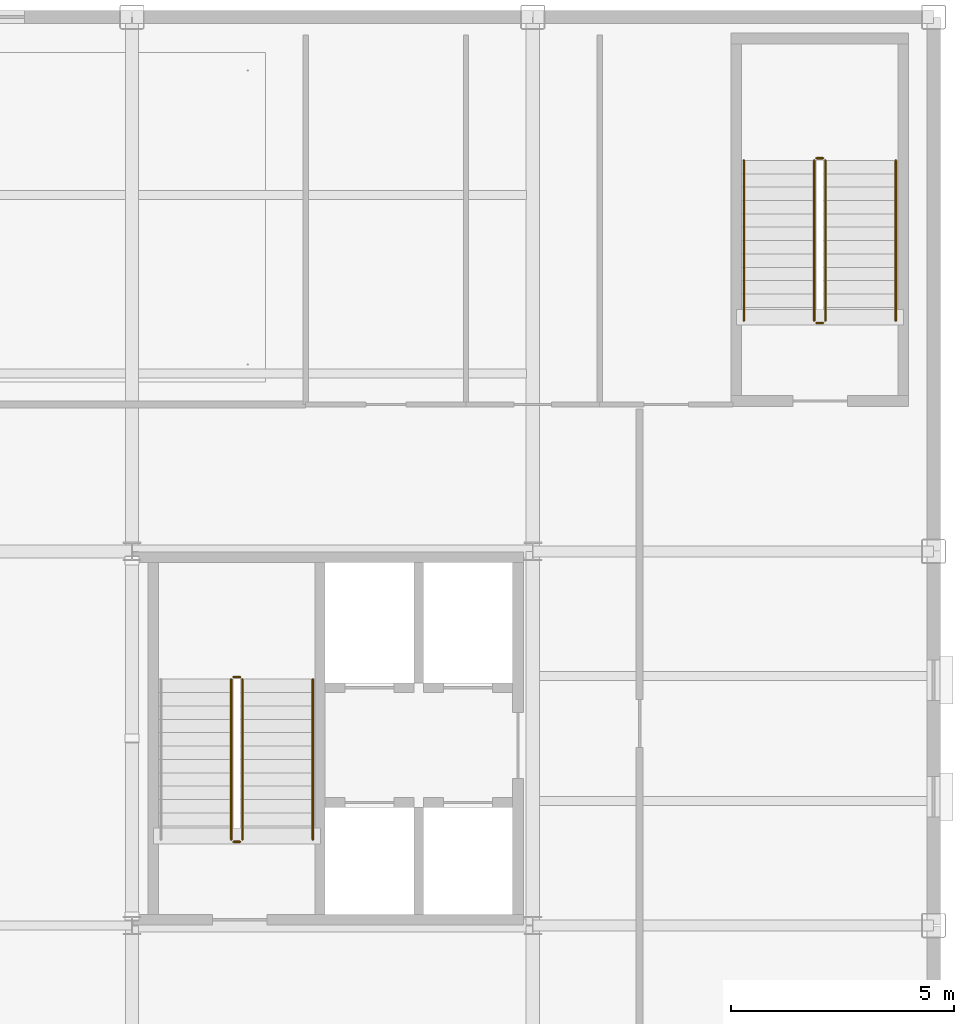
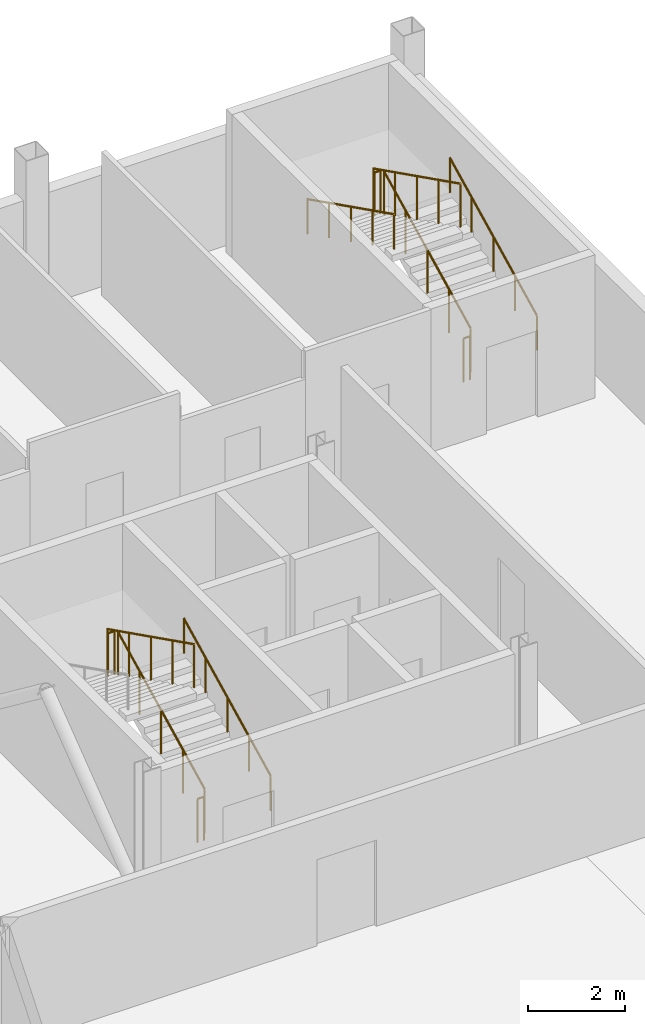
# One storey, part 77 of 77: 11 railings.
"""IFC4 building model written with IfcOpenShell, lengths in metres."""

from ifc_helpers import new_model, si_unit, direction, frame, origin, origin_2d, place, context, subcontext, project, spatial, circle, extrude, material, layer, layer_set, type_object, element, save


model = new_model("IFC4")

# Units and contexts
model_context = context("Model", 3, precision=1e-05, world=origin(), true_north=direction((0.0, 1.0)))
body_context = subcontext(model_context, "Body", "Model", "MODEL_VIEW")
ifc_project = project(units=[si_unit("LENGTHUNIT", "METRE"), si_unit("AREAUNIT", "SQUARE_METRE"), si_unit("VOLUMEUNIT", "CUBIC_METRE"), si_unit("PLANEANGLEUNIT", "RADIAN"), si_unit("MASSUNIT", "GRAM", prefix="KILO")], contexts=[model_context])

# Site, building, storey
site_placement = place(None, origin())
site = spatial("IfcSite", under=ifc_project, at=site_placement, CompositionType="ELEMENT")
building_placement = place(site_placement, origin())
building = spatial("IfcBuilding", under=site, at=building_placement, Name="Yukiwa Park Conservatory and Herbarium", CompositionType="ELEMENT")
storey_placement = place(building_placement, frame((0.0, 0.0, 13.199951171875)))
storey = spatial("IfcBuildingStorey", under=building, at=storey_placement, Name="L03", CompositionType="ELEMENT", Elevation=13.199951171875)

# Railings
ifc_material_1 = material(Name="Steel Q235B", Category="steel")
ifc_layer_1 = layer(ifc_material_1, 0.050048828125)
ifc_layer_set_1 = layer_set([ifc_layer_1], Name="Steel Q235B")
railing_type_1 = type_object("IfcRailingType", Name="RL-STAIR-GUARD-1120", PredefinedType="BALUSTRADE", material=ifc_layer_set_1)
railing_1_placement = place(storey_placement, frame((152.47998046875, 96.72998046875, 0.150146484375)))
element("IfcRailing", 1, at=railing_1_placement, inside=storey, type_object=railing_type_1, Name="L03 ST-T2 stair guard 1", PredefinedType="BALUSTRADE", context=body_context, shape_type="SweptSolid", body=[
    extrude(circle(Radius=0.02392578125, at=origin_2d()), frame((0.0, 0.0, 1.09619140625), z_axis=(0.0, 0.894451452574, 0.447165069061), x_axis=(-1.0, 0.0, 0.0)), (0.0, 0.0, 1.0), 4.02490234375),
    extrude(circle(Radius=0.02099609375, at=origin_2d()), origin(), (0.0, 0.0, 1.0), 1.072021484375),
    extrude(circle(Radius=0.02099609375, at=origin_2d()), frame((0.0, 0.89990234375, 0.449951171875)), (0.0, 0.0, 1.0), 1.072021484375),
    extrude(circle(Radius=0.02099609375, at=origin_2d()), frame((0.0, 1.800048828125, 0.89990234375)), (0.0, 0.0, 1.0), 1.072021484375),
    extrude(circle(Radius=0.02099609375, at=origin_2d()), frame((0.0, 2.7001953125, 1.349853515625)), (0.0, 0.0, 1.0), 1.072021484375),
    extrude(circle(Radius=0.02099609375, at=origin_2d()), frame((0.0, 3.60009765625, 1.7998046875)), (0.0, 0.0, 1.0), 1.072021484375),
])
railing_2_placement = place(storey_placement, frame((152.429931640625, 100.3798828125, 1.949951171875)))
element("IfcRailing", 2, at=railing_2_placement, inside=storey, type_object=railing_type_1, Name="L03 ST-T2 stair guard 2", PredefinedType="BALUSTRADE", context=body_context, shape_type="SweptSolid", body=[
    extrude(circle(Radius=0.02392578125, at=origin_2d()), frame((0.0, 0.0, 1.09619140625), z_axis=(-1.0, 0.0, 0.0), x_axis=(0.0, -1.0, 0.0)), (0.0, 0.0, 1.0), 0.14990234375),
    extrude(circle(Radius=0.02099609375, at=origin_2d()), origin(), (0.0, 0.0, 1.0), 1.072021484375),
    extrude(circle(Radius=0.02099609375, at=origin_2d()), frame((-0.14990234375, 0.0, 0.0)), (0.0, 0.0, 1.0), 1.072021484375),
])
railing_3_placement = place(storey_placement, frame((152.22998046875, 100.330078125, 2.10009765625)))
element("IfcRailing", 3, at=railing_3_placement, inside=storey, type_object=railing_type_1, Name="L03 ST-T2 stair guard 3", PredefinedType="BALUSTRADE", context=body_context, shape_type="SweptSolid", body=[
    extrude(circle(Radius=0.02392578125, at=origin_2d()), frame((0.0, 0.0, 1.09619140625), z_axis=(0.0, -0.894427191, 0.4472135955), x_axis=(1.0, 0.0, 0.0)), (0.0, 0.0, 1.0), 4.025146484375),
    extrude(circle(Radius=0.02099609375, at=origin_2d()), origin(), (0.0, 0.0, 1.0), 1.072021484375),
    extrude(circle(Radius=0.02099609375, at=origin_2d()), frame((0.0, -0.89990234375, 0.449951171875)), (0.0, 0.0, 1.0), 1.072021484375),
    extrude(circle(Radius=0.02099609375, at=origin_2d()), frame((0.0, -1.800048828125, 0.89990234375)), (0.0, 0.0, 1.0), 1.072021484375),
    extrude(circle(Radius=0.02099609375, at=origin_2d()), frame((0.0, -2.7001953125, 1.35009765625)), (0.0, 0.0, 1.0), 1.072021484375),
    extrude(circle(Radius=0.02099609375, at=origin_2d()), frame((0.0, -3.60009765625, 1.800048828125)), (0.0, 0.0, 1.0), 1.072021484375),
])
railing_4_placement = place(storey_placement, frame((152.429931640625, 96.679931640625, 0.0)))
element("IfcRailing", 4, at=railing_4_placement, inside=storey, type_object=railing_type_1, Name="L03 ST-T2 stair guard 4", PredefinedType="BALUSTRADE", context=body_context, shape_type="SweptSolid", body=[
    extrude(circle(Radius=0.02392578125, at=origin_2d()), frame((0.0, 0.0, 1.09619140625), z_axis=(-1.0, 0.0, 0.0), x_axis=(0.0, -1.0, 0.0)), (0.0, 0.0, 1.0), 0.14990234375),
    extrude(circle(Radius=0.02099609375, at=origin_2d()), origin(), (0.0, 0.0, 1.0), 1.072021484375),
    extrude(circle(Radius=0.02099609375, at=origin_2d()), frame((-0.14990234375, 0.0, 0.0)), (0.0, 0.0, 1.0), 1.072021484375),
])
railing_5_placement = place(storey_placement, frame((165.570068359375, 108.3798828125, 0.150146484375)))
element("IfcRailing", 5, at=railing_5_placement, inside=storey, type_object=railing_type_1, Name="L03 ST-T3 stair guard 1", PredefinedType="BALUSTRADE", context=body_context, shape_type="SweptSolid", body=[
    extrude(circle(Radius=0.02392578125, at=origin_2d()), frame((0.0, 0.0, 1.09619140625), z_axis=(0.0, 0.894451452574, 0.447165069061), x_axis=(-1.0, 0.0, 0.0)), (0.0, 0.0, 1.0), 4.02490234375),
    extrude(circle(Radius=0.02099609375, at=origin_2d()), origin(), (0.0, 0.0, 1.0), 1.072021484375),
    extrude(circle(Radius=0.02099609375, at=origin_2d()), frame((0.0, 0.89990234375, 0.449951171875)), (0.0, 0.0, 1.0), 1.072021484375),
    extrude(circle(Radius=0.02099609375, at=origin_2d()), frame((0.0, 1.800048828125, 0.89990234375)), (0.0, 0.0, 1.0), 1.072021484375),
    extrude(circle(Radius=0.02099609375, at=origin_2d()), frame((0.0, 2.7001953125, 1.349853515625)), (0.0, 0.0, 1.0), 1.072021484375),
    extrude(circle(Radius=0.02099609375, at=origin_2d()), frame((0.0, 3.60009765625, 1.7998046875)), (0.0, 0.0, 1.0), 1.072021484375),
])
railing_6_placement = place(storey_placement, frame((165.52001953125, 112.030029296875, 1.949951171875)))
element("IfcRailing", 6, at=railing_6_placement, inside=storey, type_object=railing_type_1, Name="L03 ST-T3 stair guard 2", PredefinedType="BALUSTRADE", context=body_context, shape_type="SweptSolid", body=[
    extrude(circle(Radius=0.02392578125, at=origin_2d()), frame((0.0, 0.0, 1.09619140625), z_axis=(-1.0, 0.0, 0.0), x_axis=(0.0, -1.0, 0.0)), (0.0, 0.0, 1.0), 0.14990234375),
    extrude(circle(Radius=0.02099609375, at=origin_2d()), origin(), (0.0, 0.0, 1.0), 1.072021484375),
    extrude(circle(Radius=0.02099609375, at=origin_2d()), frame((-0.14990234375, 0.0, 0.0)), (0.0, 0.0, 1.0), 1.072021484375),
])
railing_7_placement = place(storey_placement, frame((165.320068359375, 111.97998046875, 2.10009765625)))
element("IfcRailing", 7, at=railing_7_placement, inside=storey, type_object=railing_type_1, Name="L03 ST-T3 stair guard 3", PredefinedType="BALUSTRADE", context=body_context, shape_type="SweptSolid", body=[
    extrude(circle(Radius=0.02392578125, at=origin_2d()), frame((0.0, 0.0, 1.09619140625), z_axis=(0.0, -0.894427191, 0.4472135955), x_axis=(1.0, 0.0, 0.0)), (0.0, 0.0, 1.0), 4.025146484375),
    extrude(circle(Radius=0.02099609375, at=origin_2d()), origin(), (0.0, 0.0, 1.0), 1.072021484375),
    extrude(circle(Radius=0.02099609375, at=origin_2d()), frame((0.0, -0.89990234375, 0.449951171875)), (0.0, 0.0, 1.0), 1.072021484375),
    extrude(circle(Radius=0.02099609375, at=origin_2d()), frame((0.0, -1.800048828125, 0.89990234375)), (0.0, 0.0, 1.0), 1.072021484375),
    extrude(circle(Radius=0.02099609375, at=origin_2d()), frame((0.0, -2.7001953125, 1.35009765625)), (0.0, 0.0, 1.0), 1.072021484375),
    extrude(circle(Radius=0.02099609375, at=origin_2d()), frame((0.0, -3.60009765625, 1.800048828125)), (0.0, 0.0, 1.0), 1.072021484375),
])
railing_8_placement = place(storey_placement, frame((165.52001953125, 108.330078125, 0.0)))
element("IfcRailing", 8, at=railing_8_placement, inside=storey, type_object=railing_type_1, Name="L03 ST-T3 stair guard 4", PredefinedType="BALUSTRADE", context=body_context, shape_type="SweptSolid", body=[
    extrude(circle(Radius=0.02392578125, at=origin_2d()), frame((0.0, 0.0, 1.09619140625), z_axis=(-1.0, 0.0, 0.0), x_axis=(0.0, -1.0, 0.0)), (0.0, 0.0, 1.0), 0.14990234375),
    extrude(circle(Radius=0.02099609375, at=origin_2d()), origin(), (0.0, 0.0, 1.0), 1.072021484375),
    extrude(circle(Radius=0.02099609375, at=origin_2d()), frame((-0.14990234375, 0.0, 0.0)), (0.0, 0.0, 1.0), 1.072021484375),
])
ifc_material_2 = material(Name="Steel Q235B", Category="steel")
ifc_layer_2 = layer(ifc_material_2, 0.044921875)
ifc_layer_set_2 = layer_set([ifc_layer_2], Name="Steel Q235B")
railing_type_2 = type_object("IfcRailingType", Name="RL-STAIR-RAIL-900", PredefinedType="HANDRAIL", material=ifc_layer_set_2)
for number, where, name in (
    (9, (154.06005859375, 96.72998046875, 0.150146484375), "L03 ST-T2 stair handrail 1"),
    (10, (167.14990234375, 108.3798828125, 0.150146484375), "L03 ST-T3 stair handrail 1"),
):
    element("IfcRailing", number, at=place(storey_placement, frame(where)), inside=storey, type_object=railing_type_2, Name=name, PredefinedType="HANDRAIL", context=body_context, shape_type="SweptSolid", body=[
        extrude(circle(Radius=0.02392578125, at=origin_2d()), frame((0.0, 0.0, 0.8759765625), z_axis=(0.0, 0.894451452574, 0.447165069061), x_axis=(-1.0, 0.0, 0.0)), (0.0, 0.0, 1.0), 4.02490234375),
        extrude(circle(Radius=0.02099609375, at=origin_2d()), origin(), (0.0, 0.0, 1.0), 0.851806640625),
        extrude(circle(Radius=0.02099609375, at=origin_2d()), frame((0.0, 0.89990234375, 0.449951171875)), (0.0, 0.0, 1.0), 0.851806640625),
        extrude(circle(Radius=0.02099609375, at=origin_2d()), frame((0.0, 1.800048828125, 0.89990234375)), (0.0, 0.0, 1.0), 0.851806640625),
        extrude(circle(Radius=0.02099609375, at=origin_2d()), frame((0.0, 2.7001953125, 1.349853515625)), (0.0, 0.0, 1.0), 0.851806640625),
        extrude(circle(Radius=0.02099609375, at=origin_2d()), frame((0.0, 3.60009765625, 1.7998046875)), (0.0, 0.0, 1.0), 0.851806640625),
    ])
railing_9_placement = place(storey_placement, frame((163.739990234375, 111.97998046875, 2.10009765625)))
element("IfcRailing", 11, at=railing_9_placement, inside=storey, type_object=railing_type_2, Name="L03 ST-T3 stair handrail 2", PredefinedType="HANDRAIL", context=body_context, shape_type="SweptSolid", body=[
    extrude(circle(Radius=0.02392578125, at=origin_2d()), frame((0.0, 0.0, 0.8759765625), z_axis=(0.0, -0.894427191, 0.4472135955), x_axis=(1.0, 0.0, 0.0)), (0.0, 0.0, 1.0), 4.025146484375),
    extrude(circle(Radius=0.02099609375, at=origin_2d()), origin(), (0.0, 0.0, 1.0), 0.851806640625),
    extrude(circle(Radius=0.02099609375, at=origin_2d()), frame((0.0, -0.89990234375, 0.449951171875)), (0.0, 0.0, 1.0), 0.851806640625),
    extrude(circle(Radius=0.02099609375, at=origin_2d()), frame((0.0, -1.800048828125, 0.89990234375)), (0.0, 0.0, 1.0), 0.851806640625),
    extrude(circle(Radius=0.02099609375, at=origin_2d()), frame((0.0, -2.7001953125, 1.35009765625)), (0.0, 0.0, 1.0), 0.851806640625),
    extrude(circle(Radius=0.02099609375, at=origin_2d()), frame((0.0, -3.60009765625, 1.800048828125)), (0.0, 0.0, 1.0), 0.851806640625),
])

save(model, "model.ifc")
